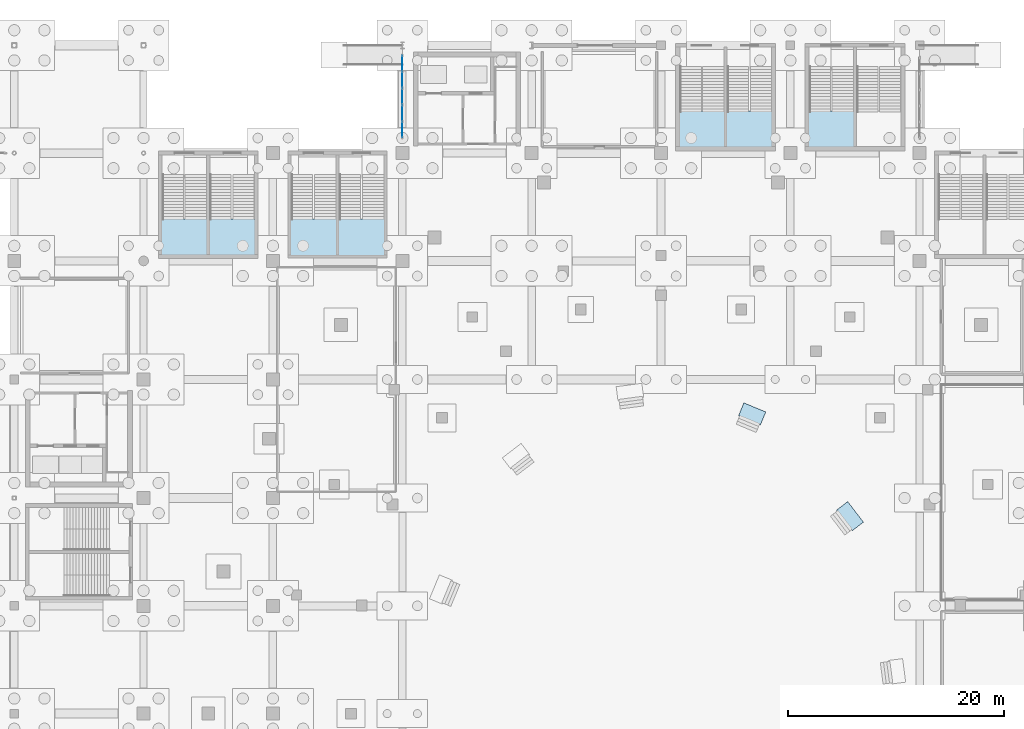
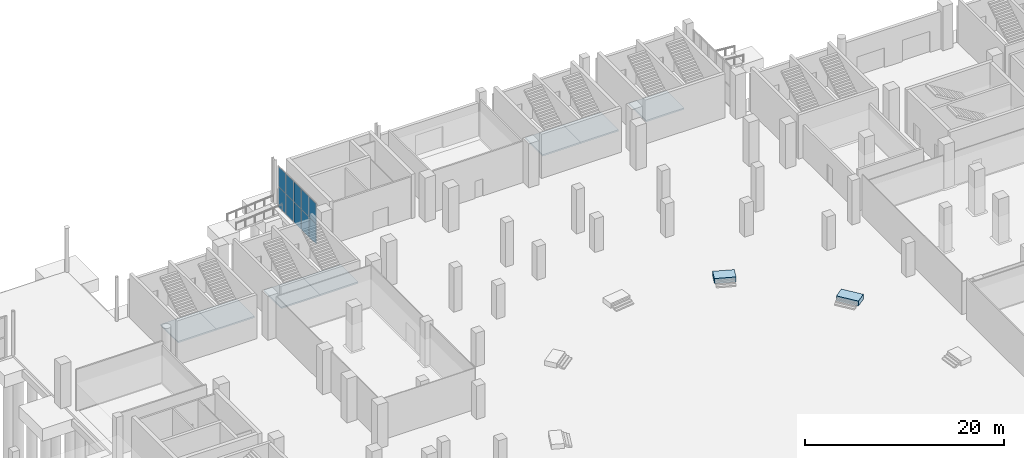
# One storey, part 43 of 70: 10 plates, 9 slabs, 8 elements without a shape of their own.
"""IFC4 building model written with IfcOpenShell, lengths in metres."""

from ifc_helpers import new_model, si_unit, direction, frame, origin, origin_2d, place, context, subcontext, project, spatial, polyline, rectangle, outline, extrude, material, layer, layer_set, type_object, element, aggregate, save


model = new_model("IFC4")

# Units and contexts
model_context = context("Model", 3, precision=1e-05, world=origin(), true_north=direction((0.0, 1.0)))
body_context = subcontext(model_context, "Body", "Model", "MODEL_VIEW")
ifc_project = project(units=[si_unit("LENGTHUNIT", "METRE"), si_unit("AREAUNIT", "SQUARE_METRE"), si_unit("VOLUMEUNIT", "CUBIC_METRE"), si_unit("PLANEANGLEUNIT", "RADIAN"), si_unit("MASSUNIT", "GRAM", prefix="KILO")], contexts=[model_context])

# Site, building, storey
site_placement = place(None, origin())
site = spatial("IfcSite", under=ifc_project, at=site_placement, CompositionType="ELEMENT")
building_placement = place(site_placement, origin())
building = spatial("IfcBuilding", under=site, at=building_placement, Name="Brinegate Civic Arena", CompositionType="ELEMENT")
storey_placement = place(building_placement, origin())
storey = spatial("IfcBuildingStorey", under=building, at=storey_placement, Name="L00", CompositionType="ELEMENT", Elevation=0.0)

# Curtain wall, plates
ifc_material_1 = material(Name="Marine grade aluminium", Category="aluminium")
ifc_layer_1 = layer(ifc_material_1, 0.235107421875, Name="Marine grade aluminium")
ifc_layer_set_1 = layer_set([ifc_layer_1], Name="Marine grade aluminium")
curtain_wall_type = type_object("IfcCurtainWallType", Name="CW-PORTAL-NORTH-01", PredefinedType="USERDEFINED", material=ifc_layer_set_1)
curtain_wall_placement = place(storey_placement, origin())
curtain_wall = element("IfcCurtainWall", 1, at=curtain_wall_placement, inside=storey, type_object=curtain_wall_type, Name="Curtain Wall CWA-010", ObjectType="PORTAL CURTAIN WALL", PredefinedType="USERDEFINED")
ifc_material_2 = material(Name="Hurricane laminated low-E glass", Category="glass")
ifc_layer_2 = layer(ifc_material_2, 0.035888671875, Name="Hurricane laminated low-E glass")
ifc_layer_set_2 = layer_set([ifc_layer_2], Name="Hurricane laminated low-E glass")
plate_type = type_object("IfcPlateType", Name="CW-PANEL-GLAZED-36", PredefinedType="CURTAIN_PANEL", material=ifc_layer_set_2)
plate_1_placement = place(storey_placement, frame((84.0, 116.188232421875, 0.06494140625), z_axis=(0.0, 0.0, 1.0), x_axis=(0.0, 1.0, 0.0)))
plate_1 = element("IfcPlate", 2, at=plate_1_placement, type_object=plate_type, Name="CWA-010 panel 1.1", PredefinedType="CURTAIN_PANEL", context=body_context, shape_type="SweptSolid", body=[
    extrude(rectangle(XDim=1.428466796875, YDim=0.035888671875, at=origin_2d()), origin(), (0.0, 0.0, 1.0), 2.4326171875),
])
plate_2_placement = place(storey_placement, frame((84.0, 116.188232421875, 2.5625), z_axis=(0.0, 0.0, 1.0), x_axis=(0.0, 1.0, 0.0)))
plate_2 = element("IfcPlate", 3, at=plate_2_placement, type_object=plate_type, Name="CWA-010 panel 1.2", PredefinedType="CURTAIN_PANEL", context=body_context, shape_type="SweptSolid", body=[
    extrude(rectangle(XDim=1.428466796875, YDim=0.035888671875, at=origin_2d()), origin(), (0.0, 0.0, 1.0), 2.4326171875),
])
plate_3_placement = place(storey_placement, frame((84.0, 117.71044921875, 0.06494140625), z_axis=(0.0, 0.0, 1.0), x_axis=(0.0, 1.0, 0.0)))
plate_3 = element("IfcPlate", 4, at=plate_3_placement, type_object=plate_type, Name="CWA-010 panel 2.1", PredefinedType="CURTAIN_PANEL", context=body_context, shape_type="SweptSolid", body=[
    extrude(rectangle(XDim=1.466064453125, YDim=0.035888671875, at=origin_2d()), origin(), (0.0, 0.0, 1.0), 2.4326171875),
])
plate_4_placement = place(storey_placement, frame((84.0, 117.71044921875, 2.5625), z_axis=(0.0, 0.0, 1.0), x_axis=(0.0, 1.0, 0.0)))
plate_4 = element("IfcPlate", 5, at=plate_4_placement, type_object=plate_type, Name="CWA-010 panel 2.2", PredefinedType="CURTAIN_PANEL", context=body_context, shape_type="SweptSolid", body=[
    extrude(rectangle(XDim=1.466064453125, YDim=0.035888671875, at=origin_2d()), origin(), (0.0, 0.0, 1.0), 2.4326171875),
])
plate_5_placement = place(storey_placement, frame((84.0, 119.25146484375, 0.06494140625), z_axis=(0.0, 0.0, 1.0), x_axis=(0.0, 1.0, 0.0)))
plate_5 = element("IfcPlate", 6, at=plate_5_placement, type_object=plate_type, Name="CWA-010 panel 3.1", PredefinedType="CURTAIN_PANEL", context=body_context, shape_type="SweptSolid", body=[
    extrude(rectangle(XDim=1.466064453125, YDim=0.035888671875, at=origin_2d()), origin(), (0.0, 0.0, 1.0), 2.4326171875),
])
plate_6_placement = place(storey_placement, frame((84.0, 119.25146484375, 2.5625), z_axis=(0.0, 0.0, 1.0), x_axis=(0.0, 1.0, 0.0)))
plate_6 = element("IfcPlate", 7, at=plate_6_placement, type_object=plate_type, Name="CWA-010 panel 3.2", PredefinedType="CURTAIN_PANEL", context=body_context, shape_type="SweptSolid", body=[
    extrude(rectangle(XDim=1.466064453125, YDim=0.035888671875, at=origin_2d()), origin(), (0.0, 0.0, 1.0), 2.4326171875),
])
plate_7_placement = place(storey_placement, frame((84.0, 120.79248046875, 0.06494140625), z_axis=(0.0, 0.0, 1.0), x_axis=(0.0, 1.0, 0.0)))
plate_7 = element("IfcPlate", 8, at=plate_7_placement, type_object=plate_type, Name="CWA-010 panel 4.1", PredefinedType="CURTAIN_PANEL", context=body_context, shape_type="SweptSolid", body=[
    extrude(rectangle(XDim=1.466064453125, YDim=0.035888671875, at=origin_2d()), origin(), (0.0, 0.0, 1.0), 2.4326171875),
])
plate_8_placement = place(storey_placement, frame((84.0, 120.79248046875, 2.5625), z_axis=(0.0, 0.0, 1.0), x_axis=(0.0, 1.0, 0.0)))
plate_8 = element("IfcPlate", 9, at=plate_8_placement, type_object=plate_type, Name="CWA-010 panel 4.2", PredefinedType="CURTAIN_PANEL", context=body_context, shape_type="SweptSolid", body=[
    extrude(rectangle(XDim=1.466064453125, YDim=0.035888671875, at=origin_2d()), origin(), (0.0, 0.0, 1.0), 2.4326171875),
])
plate_9_placement = place(storey_placement, frame((84.0, 122.314697265625, 0.06494140625), z_axis=(0.0, 0.0, 1.0), x_axis=(0.0, 1.0, 0.0)))
plate_9 = element("IfcPlate", 10, at=plate_9_placement, type_object=plate_type, Name="CWA-010 panel 5.1", PredefinedType="CURTAIN_PANEL", context=body_context, shape_type="SweptSolid", body=[
    extrude(rectangle(XDim=1.428466796875, YDim=0.035888671875, at=origin_2d()), origin(), (0.0, 0.0, 1.0), 2.4326171875),
])
plate_10_placement = place(storey_placement, frame((84.0, 122.314697265625, 2.5625), z_axis=(0.0, 0.0, 1.0), x_axis=(0.0, 1.0, 0.0)))
plate_10 = element("IfcPlate", 11, at=plate_10_placement, type_object=plate_type, Name="CWA-010 panel 5.2", PredefinedType="CURTAIN_PANEL", context=body_context, shape_type="SweptSolid", body=[
    extrude(rectangle(XDim=1.428466796875, YDim=0.035888671875, at=origin_2d()), origin(), (0.0, 0.0, 1.0), 2.4326171875),
])
aggregate(curtain_wall, [plate_1, plate_2, plate_3, plate_4, plate_5, plate_6, plate_7, plate_8, plate_9, plate_10])

# Stair, slab
ifc_material_3 = material(Name="Concrete C40/50", Category="concrete")
stair_type_1 = type_object("IfcStairType", Name="STAIR-EXIT-3850", PredefinedType="HALF_TURN_STAIR", material=ifc_material_3)
stair_1_placement = place(storey_placement, origin())
stair_1 = element("IfcStair", 12, at=stair_1_placement, inside=storey, type_object=stair_type_1, Name="Protected Exit Stair ST-01A (L00)", PredefinedType="HALF_TURN_STAIR")
ifc_layer_3 = layer(ifc_material_3, 0.179931640625, Name="Concrete C40/50")
ifc_layer_set_3 = layer_set([ifc_layer_3], Name="Concrete C40/50")
slab_type_1 = type_object("IfcSlabType", Name="SLAB-LANDING-180", PredefinedType="LANDING", material=ifc_layer_set_3)
slab_1_placement = place(storey_placement, frame((0.0, 0.0, 2.52001953125)))
slab_1 = element("IfcSlab", 13, at=slab_1_placement, type_object=slab_type_1, Name="ST-01A landing 1", PredefinedType="LANDING", context=body_context, shape_type="SweptSolid", body=[
    extrude(outline(polyline([(61.574951171875, 104.39990234375), (66.0048828125, 104.39990234375), (66.0048828125, 107.909912109375), (61.574951171875, 107.909912109375), (61.574951171875, 104.39990234375)])), origin(), (0.0, 0.0, 1.0), 0.179931640625),
])
aggregate(stair_1, [slab_1])

stair_type_2 = type_object("IfcStairType", Name="STAIR-EXIT-3700", PredefinedType="HALF_TURN_STAIR", material=ifc_material_3)
stair_2_placement = place(storey_placement, origin())
stair_2 = element("IfcStair", 14, at=stair_2_placement, inside=storey, type_object=stair_type_2, Name="Protected Exit Stair ST-01B (L00)", PredefinedType="HALF_TURN_STAIR")
slab_2_placement = place(storey_placement, frame((0.0, 0.0, 2.52001953125)))
slab_2 = element("IfcSlab", 15, at=slab_2_placement, type_object=slab_type_1, Name="ST-01B landing 1", PredefinedType="LANDING", context=body_context, shape_type="SweptSolid", body=[
    extrude(outline(polyline([(65.9951171875, 104.39990234375), (70.425048828125, 104.39990234375), (70.425048828125, 107.909912109375), (65.9951171875, 107.909912109375), (65.9951171875, 104.39990234375)])), origin(), (0.0, 0.0, 1.0), 0.179931640625),
])
aggregate(stair_2, [slab_2])

stair_3_placement = place(storey_placement, origin())
stair_3 = element("IfcStair", 16, at=stair_3_placement, inside=storey, type_object=stair_type_1, Name="Protected Exit Stair ST-03A (L00)", PredefinedType="HALF_TURN_STAIR")
slab_3_placement = place(storey_placement, frame((0.0, 0.0, 2.52001953125)))
slab_3 = element("IfcSlab", 17, at=slab_3_placement, type_object=slab_type_1, Name="ST-03A landing 1", PredefinedType="LANDING", context=body_context, shape_type="SweptSolid", body=[
    extrude(outline(polyline([(121.594970703125, 114.39990234375), (126.0048828125, 114.39990234375), (126.0048828125, 117.909912109375), (121.594970703125, 117.909912109375), (121.594970703125, 114.39990234375)])), origin(), (0.0, 0.0, 1.0), 0.179931640625),
])
aggregate(stair_3, [slab_3])

stair_4_placement = place(storey_placement, origin())
stair_4 = element("IfcStair", 18, at=stair_4_placement, inside=storey, type_object=stair_type_1, Name="Protected Exit Stair ST-11A (L00)", PredefinedType="HALF_TURN_STAIR")
slab_4_placement = place(storey_placement, frame((0.0, 0.0, 2.52001953125)))
slab_4 = element("IfcSlab", 19, at=slab_4_placement, type_object=slab_type_1, Name="ST-11A landing 1", PredefinedType="LANDING", context=body_context, shape_type="SweptSolid", body=[
    extrude(outline(polyline([(73.544921875, 104.39990234375), (78.0048828125, 104.39990234375), (78.0048828125, 107.909912109375), (73.544921875, 107.909912109375), (73.544921875, 104.39990234375)])), origin(), (0.0, 0.0, 1.0), 0.179931640625),
])
aggregate(stair_4, [slab_4])

stair_5_placement = place(storey_placement, origin())
stair_5 = element("IfcStair", 20, at=stair_5_placement, inside=storey, type_object=stair_type_2, Name="Protected Exit Stair ST-11B (L00)", PredefinedType="HALF_TURN_STAIR")
slab_5_placement = place(storey_placement, frame((0.0, 0.0, 2.52001953125)))
slab_5 = element("IfcSlab", 21, at=slab_5_placement, type_object=slab_type_1, Name="ST-11B landing 1", PredefinedType="LANDING", context=body_context, shape_type="SweptSolid", body=[
    extrude(outline(polyline([(77.9951171875, 104.39990234375), (82.455078125, 104.39990234375), (82.455078125, 107.909912109375), (77.9951171875, 107.909912109375), (77.9951171875, 104.39990234375)])), origin(), (0.0, 0.0, 1.0), 0.179931640625),
])
aggregate(stair_5, [slab_5])

stair_6_placement = place(storey_placement, origin())
stair_6 = element("IfcStair", 22, at=stair_6_placement, inside=storey, type_object=stair_type_1, Name="Protected Exit Stair ST-15A (L00)", PredefinedType="HALF_TURN_STAIR")
slab_6_placement = place(storey_placement, frame((0.0, 0.0, 2.52001953125)))
slab_6 = element("IfcSlab", 23, at=slab_6_placement, type_object=slab_type_1, Name="ST-15A landing 1", PredefinedType="LANDING", context=body_context, shape_type="SweptSolid", body=[
    extrude(outline(polyline([(109.594970703125, 114.39990234375), (114.0048828125, 114.39990234375), (114.0048828125, 117.909912109375), (109.594970703125, 117.909912109375), (109.594970703125, 114.39990234375)])), origin(), (0.0, 0.0, 1.0), 0.179931640625),
])
aggregate(stair_6, [slab_6])

stair_7_placement = place(storey_placement, origin())
stair_7 = element("IfcStair", 24, at=stair_7_placement, inside=storey, type_object=stair_type_2, Name="Protected Exit Stair ST-15B (L00)", PredefinedType="HALF_TURN_STAIR")
slab_7_placement = place(storey_placement, frame((0.0, 0.0, 2.52001953125)))
slab_7 = element("IfcSlab", 25, at=slab_7_placement, type_object=slab_type_1, Name="ST-15B landing 1", PredefinedType="LANDING", context=body_context, shape_type="SweptSolid", body=[
    extrude(outline(polyline([(113.9951171875, 114.39990234375), (118.405029296875, 114.39990234375), (118.405029296875, 117.909912109375), (113.9951171875, 117.909912109375), (113.9951171875, 114.39990234375)])), origin(), (0.0, 0.0, 1.0), 0.179931640625),
])
aggregate(stair_7, [slab_7])

# Slabs
ifc_layer_4 = layer(ifc_material_3, 0.60009765625, Name="Concrete C40/50")
ifc_layer_set_4 = layer_set([ifc_layer_4], Name="Concrete C40/50")
slab_type_2 = type_object("IfcSlabType", Name="SLAB-LANDING-600", PredefinedType="LANDING", material=ifc_layer_set_4)
slab_8_placement = place(storey_placement, origin())
element("IfcSlab", 26, at=slab_8_placement, inside=storey, type_object=slab_type_2, Name="Vomitory Arrival Landing VS-02", PredefinedType="LANDING", context=body_context, shape_type="SweptSolid", body=[
    extrude(outline(polyline([(125.748046875, 78.97607421875), (126.779052734375, 79.76806640625), (125.318115234375, 81.672119140625), (124.287109375, 80.8798828125), (125.748046875, 78.97607421875)])), origin(), (0.0, 0.0, 1.0), 0.60009765625),
])
slab_9_placement = place(storey_placement, origin())
element("IfcSlab", 27, at=slab_9_placement, inside=storey, type_object=slab_type_2, Name="Vomitory Arrival Landing VS-03", PredefinedType="LANDING", context=body_context, shape_type="SweptSolid", body=[
    extrude(outline(polyline([(117.22509765625, 88.7880859375), (117.721923828125, 89.989013671875), (115.68896484375, 90.830078125), (115.19189453125, 89.62890625), (117.22509765625, 88.7880859375)])), origin(), (0.0, 0.0, 1.0), 0.60009765625),
])

save(model, "model.ifc")
